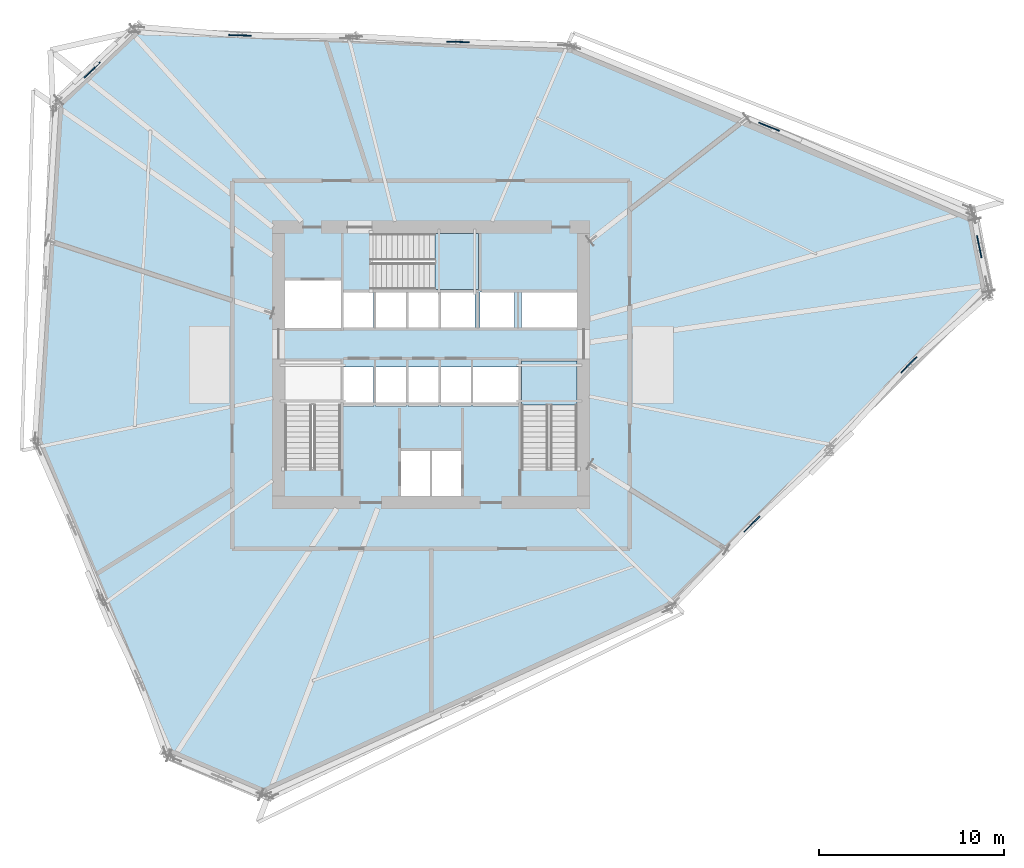
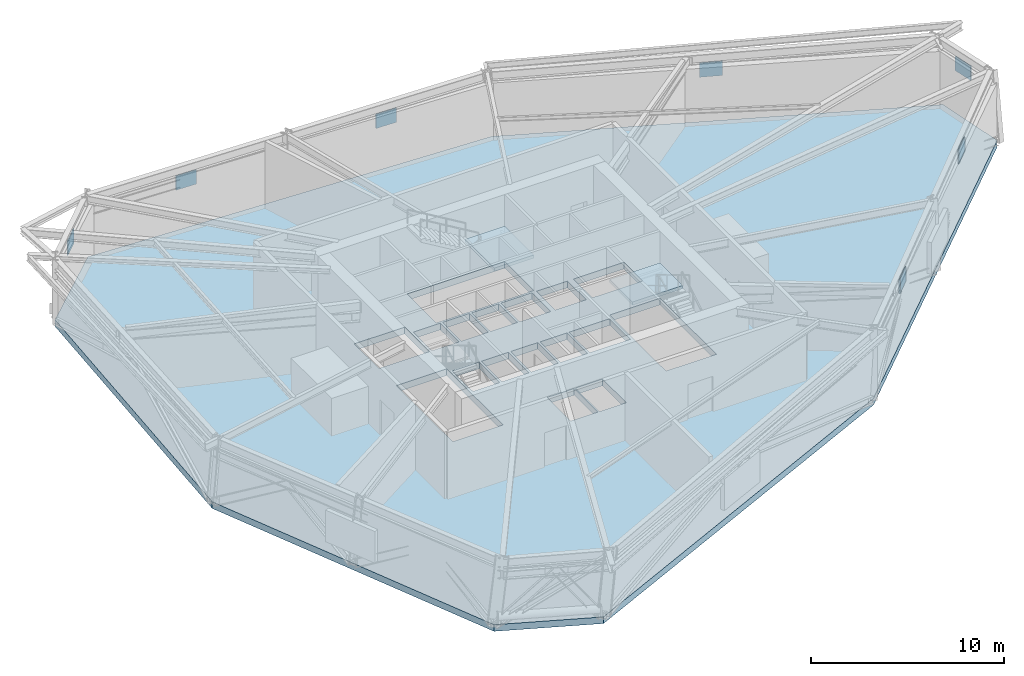
# One storey, part 4 of 15: 7 plates, 3 slabs, 2 elements without a shape of their own.
"""IFC4 building model written with IfcOpenShell, lengths in metres."""

from ifc_helpers import new_model, si_unit, direction, frame, origin, origin_2d, place, context, subcontext, project, spatial, polyline, rectangle, outline, extrude, source, transform, mapped, material, layer, layer_set, type_object, element, aggregate, save


model = new_model("IFC4")

# Units and contexts
model_context = context("Model", 3, precision=1e-05, world=origin(), true_north=direction((0.0, 1.0)))
body_context = subcontext(model_context, "Body", "Model", "MODEL_VIEW")
ifc_project = project(units=[si_unit("LENGTHUNIT", "METRE"), si_unit("AREAUNIT", "SQUARE_METRE"), si_unit("VOLUMEUNIT", "CUBIC_METRE"), si_unit("PLANEANGLEUNIT", "RADIAN"), si_unit("MASSUNIT", "GRAM", prefix="KILO")], contexts=[model_context])

# Site, building, storey
site_placement = place(None, origin())
site = spatial("IfcSite", under=ifc_project, at=site_placement, CompositionType="ELEMENT")
building_placement = place(site_placement, origin())
building = spatial("IfcBuilding", under=site, at=building_placement, Name="Olszyna Solenne Hotel", CompositionType="ELEMENT")
storey_placement = place(building_placement, frame((0.0, 0.0, 79.89990234375)))
storey = spatial("IfcBuildingStorey", under=building, at=storey_placement, Name="L20", CompositionType="ELEMENT", Elevation=79.89990234375)

# Stair, slab
ifc_material_1 = material(Name="Concrete C40/50", Category="concrete")
stair_type = type_object("IfcStairType", Name="STR-C1", PredefinedType="TWO_QUARTER_WINDING_STAIR", material=ifc_material_1)
stair_1_placement = place(storey_placement, origin())
stair_1 = element("IfcStair", 1, at=stair_1_placement, inside=storey, type_object=stair_type, Name="L20 ST2", PredefinedType="TWO_QUARTER_WINDING_STAIR")
ifc_layer_1 = layer(ifc_material_1, 0.18994140625, Name="Concrete C40/50")
ifc_layer_set_1 = layer_set([ifc_layer_1], Name="Concrete C40/50")
slab_type_1 = type_object("IfcSlabType", Name="SL-LN190", PredefinedType="LANDING", material=ifc_layer_set_1)
slab_1_placement = place(storey_placement, frame((0.0, 0.0, 2.050048828125)))
slab_1 = element("IfcSlab", 2, at=slab_1_placement, type_object=slab_type_1, Name="ST2 landing 1", PredefinedType="LANDING", context=body_context, shape_type="SweptSolid", body=[
    extrude(outline(polyline([(45.89990234375, 24.429931640625), (45.89990234375, 26.800048828125), (42.8798828125, 26.800048828125), (42.8798828125, 24.429931640625), (45.89990234375, 24.429931640625)])), origin(), (0.0, 0.0, 1.0), 0.199951171875),
])
aggregate(stair_1, [slab_1])

stair_2_placement = place(storey_placement, origin())
stair_2 = element("IfcStair", 3, at=stair_2_placement, inside=storey, type_object=stair_type, Name="L20 ST3", PredefinedType="TWO_QUARTER_WINDING_STAIR")
slab_2_placement = place(storey_placement, frame((0.0, 0.0, 2.050048828125)))
slab_2 = element("IfcSlab", 4, at=slab_2_placement, type_object=slab_type_1, Name="ST3 landing 1", PredefinedType="LANDING", context=body_context, shape_type="SweptSolid", body=[
    extrude(outline(polyline([(38.2099609375, 30.679931640625), (40.580078125, 30.679931640625), (40.580078125, 33.699951171875), (38.2099609375, 33.699951171875), (38.2099609375, 30.679931640625)])), origin(), (0.0, 0.0, 1.0), 0.199951171875),
])
aggregate(stair_2, [slab_2])

# Slab
ifc_material_2 = material(Name="Concrete C50/60", Category="concrete")
ifc_layer_2 = layer(ifc_material_2, 0.419921875, Name="Concrete C50/60")
ifc_layer_set_2 = layer_set([ifc_layer_2], Name="Concrete C50/60")
slab_type_2 = type_object("IfcSlabType", Name="SL-TR420", PredefinedType="FLOOR", material=ifc_layer_set_2)
slab_3_placement = place(storey_placement, frame((0.0, 0.0, -0.419921875)))
element("IfcSlab", 5, at=slab_3_placement, inside=storey, type_object=slab_type_2, Name="Floor slab SL-TR420 SL-L20-01", PredefinedType="FLOOR", context=body_context, shape_type="SweptSolid", body=[
    extrude(outline(polyline([(68.192138671875, 30.42822265625), (67.377685546875, 34.636962890625), (45.64404296875, 43.853515625), (22.059326171875, 44.888427734375), (17.742919921875, 40.80615234375), (16.57421875, 22.473876953125), (23.677978515625, 5.53369140625), (28.949951171875, 3.306884765625), (50.955810546875, 13.4169921875), (68.192138671875, 30.42822265625)]), holes=[polyline([(30.10009765625, 20.949951171875), (33.1201171875, 20.949951171875), (33.1201171875, 26.800048828125), (30.10009765625, 26.800048828125), (30.10009765625, 20.949951171875)]), polyline([(42.8798828125, 20.949951171875), (45.89990234375, 20.949951171875), (45.89990234375, 26.800048828125), (42.8798828125, 26.800048828125), (42.8798828125, 20.949951171875)]), polyline([(34.72998046875, 30.679931640625), (40.580078125, 30.679931640625), (40.580078125, 33.699951171875), (34.72998046875, 33.699951171875), (34.72998046875, 30.679931640625)]), polyline([(36.340087890625, 19.5), (37.9599609375, 19.5), (37.9599609375, 21.9599609375), (36.340087890625, 21.9599609375), (36.340087890625, 19.5)]), polyline([(38.0400390625, 19.5), (39.659912109375, 19.5), (39.659912109375, 21.9599609375), (38.0400390625, 21.9599609375), (38.0400390625, 19.5)]), polyline([(30.10009765625, 28.60009765625), (33.1201171875, 28.60009765625), (33.1201171875, 31.159912109375), (30.10009765625, 31.159912109375), (30.10009765625, 28.60009765625)]), polyline([(33.280029296875, 24.360107421875), (34.89990234375, 24.360107421875), (34.89990234375, 26.5), (33.280029296875, 26.5), (33.280029296875, 24.360107421875)]), polyline([(35.030029296875, 24.360107421875), (36.64990234375, 24.360107421875), (36.64990234375, 26.5), (35.030029296875, 26.5), (35.030029296875, 24.360107421875)]), polyline([(36.780029296875, 24.360107421875), (38.39990234375, 24.360107421875), (38.39990234375, 26.5), (36.780029296875, 26.5), (36.780029296875, 24.360107421875)]), polyline([(38.530029296875, 24.360107421875), (40.14990234375, 24.360107421875), (40.14990234375, 26.5), (38.530029296875, 26.5), (38.530029296875, 24.360107421875)]), polyline([(40.280029296875, 24.360107421875), (42.719970703125, 24.360107421875), (42.719970703125, 26.5), (40.280029296875, 26.5), (40.280029296875, 24.360107421875)]), polyline([(33.280029296875, 28.60009765625), (34.89990234375, 28.60009765625), (34.89990234375, 30.550048828125), (33.280029296875, 30.550048828125), (33.280029296875, 28.60009765625)]), polyline([(35.030029296875, 28.60009765625), (36.64990234375, 28.60009765625), (36.64990234375, 30.550048828125), (35.030029296875, 30.550048828125), (35.030029296875, 28.60009765625)]), polyline([(36.780029296875, 28.60009765625), (38.39990234375, 28.60009765625), (38.39990234375, 30.550048828125), (36.780029296875, 30.550048828125), (36.780029296875, 28.60009765625)]), polyline([(38.530029296875, 28.60009765625), (40.389892578125, 28.60009765625), (40.389892578125, 30.550048828125), (38.530029296875, 30.550048828125), (38.530029296875, 28.60009765625)]), polyline([(40.659912109375, 28.60009765625), (42.52001953125, 28.60009765625), (42.52001953125, 30.550048828125), (40.659912109375, 30.550048828125), (40.659912109375, 28.60009765625)]), polyline([(42.8798828125, 28.60009765625), (45.89990234375, 28.60009765625), (45.89990234375, 30.550048828125), (42.8798828125, 30.550048828125), (42.8798828125, 28.60009765625)])]), origin(), (0.0, 0.0, 1.0), 0.419921875),
])

# Plates
ifc_material_3 = material(Name="Steel S460M", Category="steel")
plate_type = type_object("IfcPlateType", Name="GP-ND1", PredefinedType="USERDEFINED", material=ifc_material_3)
shared_shape = source(origin(), body_context, "Body", "SweptSolid", [
    extrude(rectangle(XDim=1.199951171875, YDim=0.06005859375, at=origin_2d()), origin(), (0.0, 0.0, 1.0), 0.89990234375),
])
for number, where, z_axis, x_axis, name in (
    (6, (67.64501953125, 32.990234375, 2.750244140625), (0.0, 0.0, 1.0), (-0.205350196811, 0.978688559589, 0.0), "Belt truss node gusset plate TN-L20-01"),
    (7, (56.277099609375, 39.479248046875, 2.750244140625), (0.0, 0.0, 1.0), (-0.927379871015, 0.374121069757, 0.0), "Belt truss node gusset plate TN-L20-02"),
    (8, (39.454345703125, 44.06640625, 2.750244140625), (0.0, 0.0, 1.0), (-0.99954944375, 0.030015154483, 0.0), "Belt truss node gusset plate TN-L20-03"),
    (9, (27.672119140625, 44.420654296875, 2.750244140625), (0.0, 0.0, 1.0), (-0.99954944375, 0.030015154483, 0.0), "Belt truss node gusset plate TN-L20-04"),
    (10, (19.673828125, 42.541748046875, 2.750244140625), (0.0, 0.0, 1.0), (-0.715692733704, -0.698415285431, 0.0), "Belt truss node gusset plate TN-L20-05"),
    (11, (55.34912109375, 17.9931640625, 2.750244140625), (0.0, 0.0, 1.0), (0.701904466245, 0.712271100259, 0.0), "Belt truss node gusset plate TN-L20-11"),
    (12, (63.837158203125, 26.605224609375, 2.750244140625), (0.0, 0.0, 1.0), (0.701904466245, 0.712271100259, 0.0), "Belt truss node gusset plate TN-L20-12"),
):
    element("IfcPlate", number, at=place(storey_placement, frame(where, z_axis=z_axis, x_axis=x_axis)), inside=storey, type_object=plate_type, Name=name, ObjectType="GUSSET_PLATE", PredefinedType="USERDEFINED", context=body_context, shape_type="MappedRepresentation", body=[
        mapped(shared_shape, transform((0.0, 0.0, 0.0), x_axis=(1.0, 0.0, 0.0), y_axis=(0.0, 1.0, 0.0), z_axis=(0.0, 0.0, 1.0), scale=1.0)),
    ])

save(model, "model.ifc")
